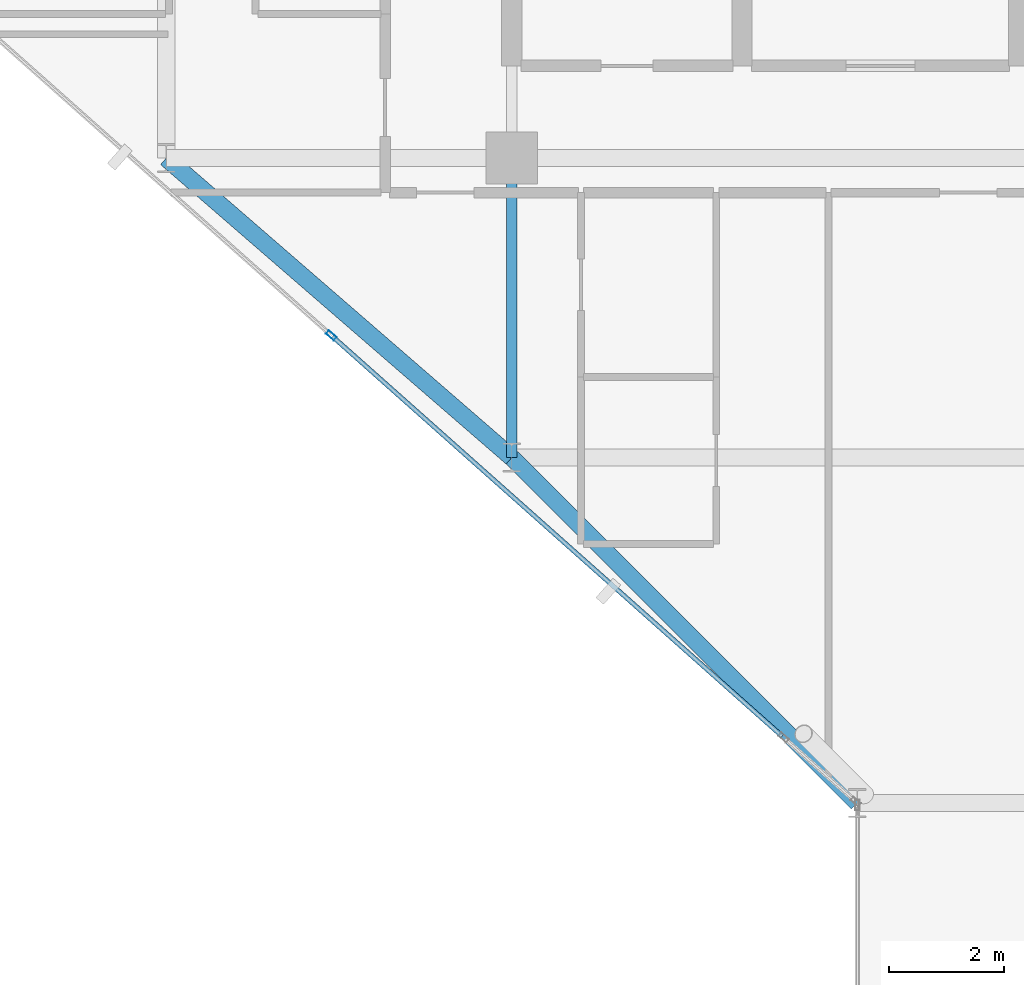
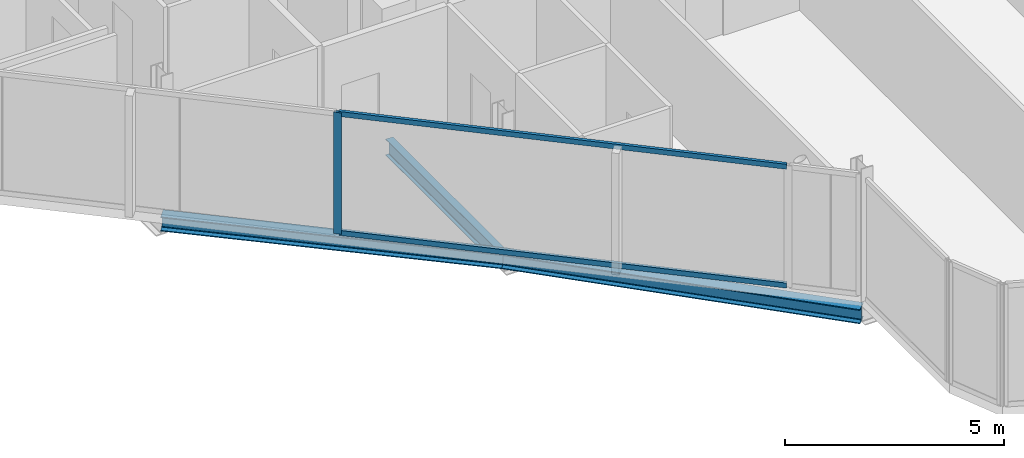
# One storey, part 4 of 31: 3 beams, 3 members, 1 element without a shape of its own.
"""IFC4 building model written with IfcOpenShell, lengths in metres."""

from ifc_helpers import new_model, si_unit, direction, frame, origin, origin_2d, place, context, subcontext, project, spatial, hollow_rectangle, i_section, extrude, material, layer, layer_set, material_profile, profile_set, type_object, element, aggregate, save


model = new_model("IFC4")

# Units and contexts
model_context = context("Model", 3, precision=1e-05, world=origin(), true_north=direction((0.0, 1.0)))
body_context = subcontext(model_context, "Body", "Model", "MODEL_VIEW")
ifc_project = project(units=[si_unit("LENGTHUNIT", "METRE"), si_unit("AREAUNIT", "SQUARE_METRE"), si_unit("VOLUMEUNIT", "CUBIC_METRE"), si_unit("PLANEANGLEUNIT", "RADIAN"), si_unit("MASSUNIT", "GRAM", prefix="KILO")], contexts=[model_context])

# Site, building, storey
site_placement = place(None, origin())
site = spatial("IfcSite", under=ifc_project, at=site_placement, CompositionType="ELEMENT")
building_placement = place(site_placement, origin())
building = spatial("IfcBuilding", under=site, at=building_placement, Name="Keshet Zoharim Tower", CompositionType="ELEMENT")
storey_placement = place(building_placement, frame((0.0, 0.0, 148.300048828125)))
storey = spatial("IfcBuildingStorey", under=building, at=storey_placement, Name="L36", CompositionType="ELEMENT", Elevation=148.300048828125)

# Beams
ifc_material_1 = material(Name="Steel S355", Category="steel")
ifc_material_profile_1 = material_profile(ifc_material_1, i_section(OverallWidth=0.18994140625, OverallDepth=0.449951171875, WebThickness=0.009521484375, FlangeThickness=0.0146484375, FilletRadius=0.02099609375, at=origin_2d()), Name="IPE450")
ifc_profile_set_1 = profile_set([ifc_material_profile_1], Name="Steel S355")
beam_type_1 = type_object("IfcBeamType", Name="BM-PRI-IP450", PredefinedType="BEAM", material=ifc_profile_set_1)
beam_1_placement = place(storey_placement, frame((15.0, 12.699951171875, -0.5400390625), z_axis=(0.0, 1.0, 0.0), x_axis=(-1.0, 0.0, 0.0)))
element("IfcBeam", 1, at=beam_1_placement, inside=storey, type_object=beam_type_1, Name="L36 Primary Girder Y-002", PredefinedType="BEAM", context=body_context, shape_type="SweptSolid", body=[
    extrude(i_section(OverallWidth=0.18994140625, OverallDepth=0.449951171875, WebThickness=0.009521484375, FlangeThickness=0.0146484375, FilletRadius=0.02099609375, at=origin_2d()), origin(), (0.0, 0.0, 1.0), 5.199951171875),
])
ifc_material_profile_2 = material_profile(ifc_material_1, i_section(OverallWidth=0.300048828125, OverallDepth=0.39990234375, WebThickness=0.013427734375, FlangeThickness=0.02392578125, FilletRadius=0.027099609375, at=origin_2d()), Name="HEB400")
ifc_profile_set_2 = profile_set([ifc_material_profile_2], Name="Steel S355")
beam_type_2 = type_object("IfcBeamType", Name="BM-SPN-HB400", PredefinedType="SPANDREL", material=ifc_profile_set_2)
beam_2_placement = place(storey_placement, frame((21.0, 6.699951171875, -0.51513671875), z_axis=(-0.707106781187, 0.707106781187, 0.0), x_axis=(-0.707106781187, -0.707106781187, 0.0)))
element("IfcBeam", 2, at=beam_2_placement, inside=storey, type_object=beam_type_2, Name="L36 Perimeter Spandrel Beam 01", PredefinedType="SPANDREL", context=body_context, shape_type="SweptSolid", body=[
    extrude(i_section(OverallWidth=0.300048828125, OverallDepth=0.39990234375, WebThickness=0.013427734375, FlangeThickness=0.02392578125, FilletRadius=0.027099609375, at=origin_2d()), origin(), (0.0, 0.0, 1.0), 8.4853515625),
])
beam_3_placement = place(storey_placement, frame((9.0, 17.89990234375, -0.51513671875), z_axis=(0.755692126483, -0.654927026447, 0.0), x_axis=(0.654927026447, 0.755692126483, 0.0)))
element("IfcBeam", 3, at=beam_3_placement, inside=storey, type_object=beam_type_2, Name="L36 Perimeter Spandrel Beam 02", PredefinedType="SPANDREL", context=body_context, shape_type="SweptSolid", body=[
    extrude(i_section(OverallWidth=0.300048828125, OverallDepth=0.39990234375, WebThickness=0.013427734375, FlangeThickness=0.02392578125, FilletRadius=0.027099609375, at=origin_2d()), origin(), (0.0, 0.0, 1.0), 7.939697265625),
])

# Curtain wall, members
ifc_material_2 = material(Name="Aluminium 6063-T6", Category="aluminium")
ifc_layer = layer(ifc_material_2, 0.159912109375)
ifc_layer_set = layer_set([ifc_layer], Name="Aluminium 6063-T6")
curtain_wall_type = type_object("IfcCurtainWallType", Name="CW-SYS-03", PredefinedType="NOTDEFINED", material=ifc_layer_set)
curtain_wall_placement = place(storey_placement, origin())
curtain_wall = element("IfcCurtainWall", 4, at=curtain_wall_placement, inside=storey, type_object=curtain_wall_type, Name="L36 Unitised Curtain Wall 07 Part 2", PredefinedType="NOTDEFINED")
ifc_material_profile_3 = material_profile(ifc_material_2, hollow_rectangle(XDim=0.080078125, YDim=0.179931640625, WallThickness=0.00439453125, at=origin_2d()), Name="MUL-80x180")
ifc_profile_set_3 = profile_set([ifc_material_profile_3], Name="Aluminium 6063-T6")
member_type_1 = type_object("IfcMemberType", Name="CWM-M18", PredefinedType="MULLION", material=ifc_profile_set_3)
member_1_placement = place(storey_placement, frame((11.864990234375, 14.820068359375, 0.0), z_axis=(0.0, 0.0, 1.0), x_axis=(-0.664363542589, -0.747409582009, 0.0)))
member_1 = element("IfcMember", 5, at=member_1_placement, type_object=member_type_1, Name="CW-03 mullion 2", PredefinedType="MULLION", context=body_context, shape_type="SweptSolid", body=[
    extrude(hollow_rectangle(XDim=0.080078125, YDim=0.179931640625, WallThickness=0.00439453125, at=origin_2d()), origin(), (0.0, 0.0, 1.0), 3.385009765625),
])
ifc_material_profile_4 = material_profile(ifc_material_2, hollow_rectangle(XDim=0.080078125, YDim=0.139892578125, WallThickness=0.00390625, at=origin_2d()), Name="TRN-80x140")
ifc_profile_set_4 = profile_set([ifc_material_profile_4], Name="Aluminium 6063-T6")
member_type_2 = type_object("IfcMemberType", Name="CWT-T14", PredefinedType="USERDEFINED", material=ifc_profile_set_4)
member_2_placement = place(storey_placement, frame((19.69482421875, 7.860107421875, 0.034912109375), z_axis=(-0.747402868264, 0.664371095482, 0.0), x_axis=(-0.664371095482, -0.747402868264, 0.0)))
member_2 = element("IfcMember", 6, at=member_2_placement, type_object=member_type_2, Name="CW-03 transom 1.1", ObjectType="TRANSOM", PredefinedType="USERDEFINED", context=body_context, shape_type="SweptSolid", body=[
    extrude(hollow_rectangle(XDim=0.080078125, YDim=0.139892578125, WallThickness=0.00390625, at=origin_2d()), origin(), (0.0, 0.0, 1.0), 10.441162109375),
])
member_3_placement = place(storey_placement, frame((19.69482421875, 7.860107421875, 3.349853515625), z_axis=(-0.747402868264, 0.664371095482, 0.0), x_axis=(-0.664371095482, -0.747402868264, 0.0)))
member_3 = element("IfcMember", 7, at=member_3_placement, type_object=member_type_2, Name="CW-03 transom 1.2", ObjectType="TRANSOM", PredefinedType="USERDEFINED", context=body_context, shape_type="SweptSolid", body=[
    extrude(hollow_rectangle(XDim=0.080078125, YDim=0.139892578125, WallThickness=0.00390625, at=origin_2d()), origin(), (0.0, 0.0, 1.0), 10.441162109375),
])
aggregate(curtain_wall, [member_1, member_2, member_3])

save(model, "model.ifc")
